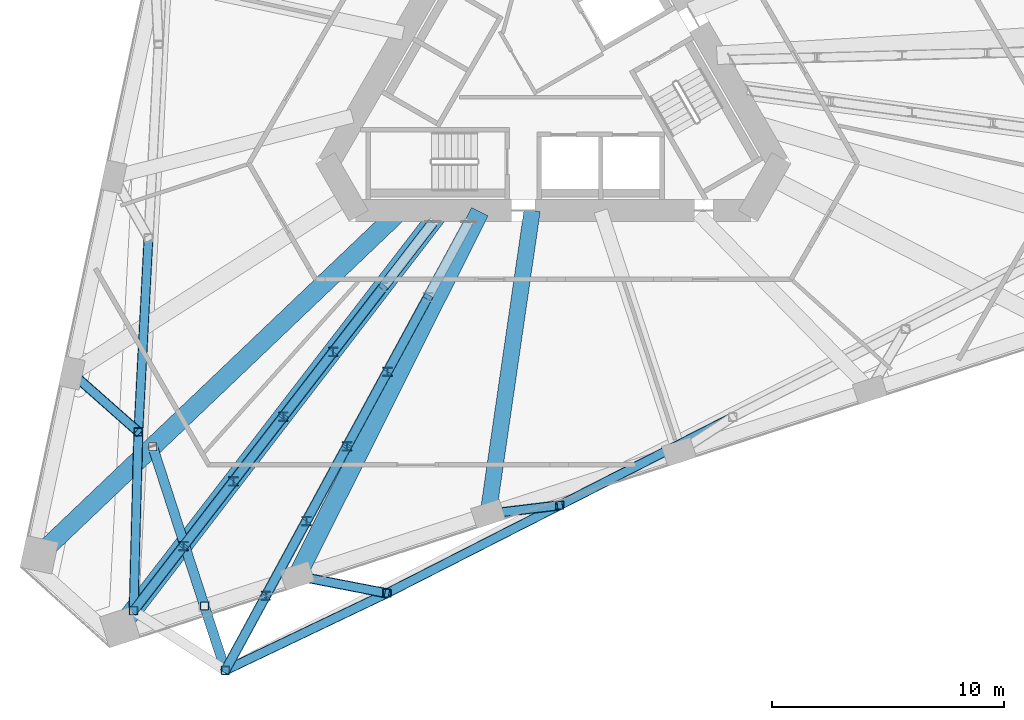
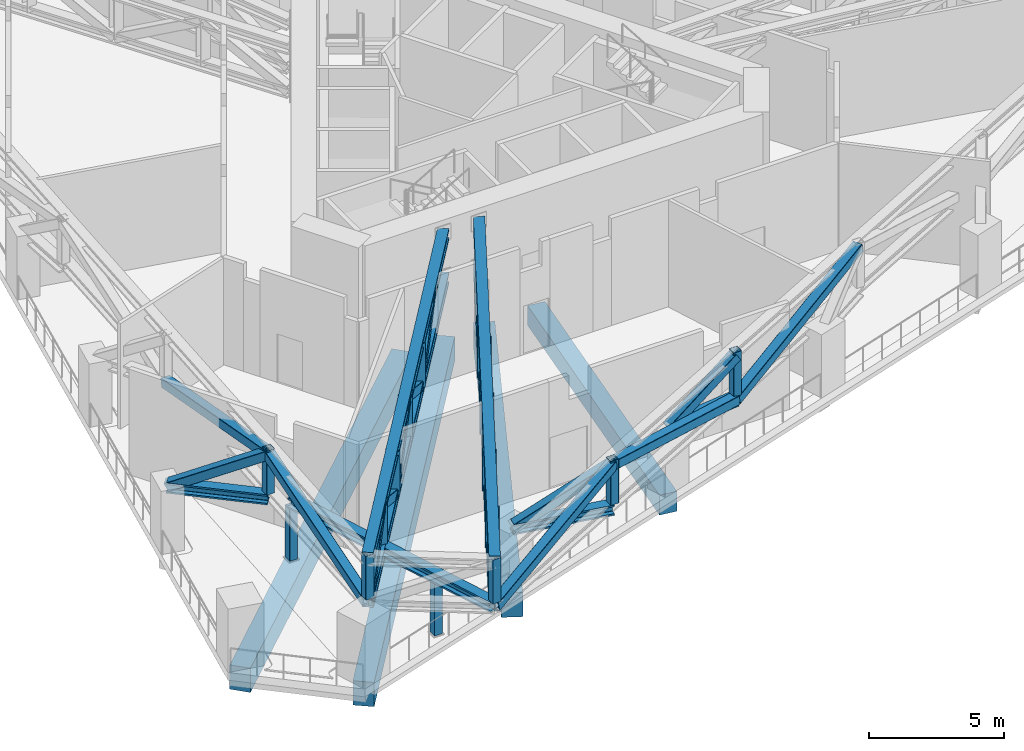
# One storey, part 2 of 24: 41 members, 4 beams.
"""IFC4 building model written with IfcOpenShell, lengths in metres."""

from ifc_helpers import new_model, si_unit, direction, frame, origin, origin_2d, place, context, subcontext, project, spatial, rectangle, hollow_rectangle, i_section, extrude, material, material_profile, profile_set, type_object, element, save


model = new_model("IFC4")

# Units and contexts
model_context = context("Model", 3, precision=1e-05, world=origin(), true_north=direction((0.0, 1.0)))
body_context = subcontext(model_context, "Body", "Model", "MODEL_VIEW")
ifc_project = project(units=[si_unit("LENGTHUNIT", "METRE"), si_unit("AREAUNIT", "SQUARE_METRE"), si_unit("VOLUMEUNIT", "CUBIC_METRE"), si_unit("PLANEANGLEUNIT", "RADIAN"), si_unit("MASSUNIT", "GRAM", prefix="KILO")], contexts=[model_context])

# Site, building, storey
site_placement = place(None, origin())
site = spatial("IfcSite", under=ifc_project, at=site_placement, CompositionType="ELEMENT")
building_placement = place(site_placement, origin())
building = spatial("IfcBuilding", under=site, at=building_placement, Name="Tramontana Tower", CompositionType="ELEMENT")
storey_placement = place(building_placement, frame((0.0, 0.0, 120.39990234375)))
storey = spatial("IfcBuildingStorey", under=building, at=storey_placement, Name="L27", CompositionType="ELEMENT", Elevation=120.39990234375)

# Members
ifc_material_1 = material(Name="Steel ASTM A500 Grade C", Category="steel")
ifc_material_profile_1 = material_profile(ifc_material_1, hollow_rectangle(XDim=0.355712890625, YDim=0.355712890625, WallThickness=0.01171875, InnerFilletRadius=0.01171875, OuterFilletRadius=0.023681640625, at=origin_2d()), Name="HSS14X14X1/2")
ifc_profile_set_1 = profile_set([ifc_material_profile_1], Name="Steel ASTM A500 Grade C")
member_type_1 = type_object("IfcMemberType", Name="Belt truss HSS14X14X1/2 post", PredefinedType="POST", material=ifc_profile_set_1)
for number, where, z_axis, x_axis, name in (
    (1, (-17.90283203125, -15.827880859375, 2.86376953125), (0.0, 0.0, 1.0), (1.0, 0.0, 0.0), "Belt truss post C3F05"),
    (2, (-18.107421875, -23.54931640625, 2.86376953125), (0.0, 0.0, 1.0), (1.0, 0.0, 0.0), "Belt truss post C3K2"),
    (3, (-14.1484375, -26.1201171875, 2.86376953125), (0.0, 0.0, 1.0), (1.0, 0.0, 0.0), "Belt truss post C3K3"),
    (4, (-7.177734375, -22.79296875, 2.86376953125), (0.0, 0.0, 1.0), (1.0, 0.0, 0.0), "Belt truss post C3F06"),
    (5, (0.281494140625, -18.9921875, 2.86376953125), (0.0, 0.0, 1.0), (1.0, 0.0, 0.0), "Belt truss post C3F07"),
):
    element("IfcMember", number, at=place(storey_placement, frame(where, z_axis=z_axis, x_axis=x_axis)), inside=storey, type_object=member_type_1, Name=name, PredefinedType="POST", context=body_context, shape_type="SweptSolid", body=[
        extrude(hollow_rectangle(XDim=0.355712890625, YDim=0.355712890625, WallThickness=0.01171875, InnerFilletRadius=0.01171875, OuterFilletRadius=0.023681640625, at=origin_2d()), origin(), (0.0, 0.0, 1.0), 1.986328125),
    ])
ifc_material_2 = material(Name="Steel ASTM A500 Grade C", Category="steel")
ifc_material_profile_2 = material_profile(ifc_material_2, hollow_rectangle(XDim=0.406494140625, YDim=0.406494140625, WallThickness=0.0146484375, InnerFilletRadius=0.0146484375, OuterFilletRadius=0.029541015625, at=origin_2d()), Name="HSS16X16X5/8")
ifc_profile_set_2 = profile_set([ifc_material_profile_2], Name="Steel ASTM A500 Grade C")
member_type_2 = type_object("IfcMemberType", Name="Belt truss HSS16X16X5/8 brace", PredefinedType="BRACE", material=ifc_profile_set_2)
member_1_placement = place(storey_placement, frame((-17.46484375, -7.4677734375, 2.6318359375), z_axis=(-0.050904889417, -0.971647786132, 0.230888007352), x_axis=(0.998630448482, -0.052318518371, 0.0)))
element("IfcMember", 6, at=member_1_placement, inside=storey, type_object=member_type_2, Name="Belt truss diagonal S0.5", PredefinedType="BRACE", context=body_context, shape_type="SweptSolid", body=[
    extrude(hollow_rectangle(XDim=0.406494140625, YDim=0.406494140625, WallThickness=0.0146484375, InnerFilletRadius=0.0146484375, OuterFilletRadius=0.029541015625, at=origin_2d()), origin(), (0.0, 0.0, 1.0), 8.60400390625),
])
member_2_placement = place(storey_placement, frame((-17.90283203125, -15.827880859375, 4.618408203125), z_axis=(-0.025652231523, -0.968142155576, -0.249083780312), x_axis=(0.999649156493, -0.026487051985, 0.0)))
element("IfcMember", 7, at=member_2_placement, inside=storey, type_object=member_type_2, Name="Belt truss diagonal S0.6", PredefinedType="BRACE", context=body_context, shape_type="SweptSolid", body=[
    extrude(hollow_rectangle(XDim=0.406494140625, YDim=0.406494140625, WallThickness=0.0146484375, InnerFilletRadius=0.0146484375, OuterFilletRadius=0.029541015625, at=origin_2d()), origin(), (0.0, 0.0, 1.0), 7.9755859375),
])
member_3_placement = place(storey_placement, frame((-14.1484375, -26.1201171875, 2.6318359375), z_axis=(0.874024948923, 0.417176099885, 0.249087314702), x_axis=(-0.430752989508, 0.902469867658, 0.0)))
element("IfcMember", 8, at=member_3_placement, inside=storey, type_object=member_type_2, Name="Belt truss diagonal S1.1", PredefinedType="BRACE", context=body_context, shape_type="SweptSolid", body=[
    extrude(hollow_rectangle(XDim=0.406494140625, YDim=0.406494140625, WallThickness=0.0146484375, InnerFilletRadius=0.0146484375, OuterFilletRadius=0.029541015625, at=origin_2d()), origin(), (0.0, 0.0, 1.0), 7.975341796875),
])
member_4_placement = place(storey_placement, frame((-7.177734375, -22.79296875, 4.618408203125), z_axis=(0.86692736462, 0.44173486114, -0.230883643698), x_axis=(-0.454001356581, 0.891000992268, 0.0)))
element("IfcMember", 9, at=member_4_placement, inside=storey, type_object=member_type_2, Name="Belt truss diagonal S1.2", PredefinedType="BRACE", context=body_context, shape_type="SweptSolid", body=[
    extrude(hollow_rectangle(XDim=0.406494140625, YDim=0.406494140625, WallThickness=0.0146484375, InnerFilletRadius=0.0146484375, OuterFilletRadius=0.029541015625, at=origin_2d()), origin(), (0.0, 0.0, 1.0), 8.604248046875),
])
member_5_placement = place(storey_placement, frame((0.281494140625, -18.9921875, 2.6318359375), z_axis=(0.866931181465, 0.441722888906, 0.230892217321), x_axis=(-0.453990001192, 0.891006778211, 0.0)))
element("IfcMember", 10, at=member_5_placement, inside=storey, type_object=member_type_2, Name="Belt truss diagonal S1.3", PredefinedType="BRACE", context=body_context, shape_type="SweptSolid", body=[
    extrude(hollow_rectangle(XDim=0.406494140625, YDim=0.406494140625, WallThickness=0.0146484375, InnerFilletRadius=0.0146484375, OuterFilletRadius=0.029541015625, at=origin_2d()), origin(), (0.0, 0.0, 1.0), 8.60400390625),
])
ifc_material_3 = material(Name="Steel ASTM A500 Grade C", Category="steel")
ifc_material_profile_3 = material_profile(ifc_material_3, hollow_rectangle(XDim=0.406494140625, YDim=0.406494140625, WallThickness=0.0146484375, InnerFilletRadius=0.0146484375, OuterFilletRadius=0.029541015625, at=origin_2d()), Name="HSS16X16X5/8")
ifc_profile_set_3 = profile_set([ifc_material_profile_3], Name="Steel ASTM A500 Grade C")
member_type_3 = type_object("IfcMemberType", Name="Outrigger truss HSS16X16X5/8 brace", PredefinedType="BRACE", material=ifc_profile_set_3)
for number, where, z_axis, x_axis, name in (
    (11, (-7.343017578125, -9.583251953125, 4.618408203125), (-0.531876580369, -0.690088450443, -0.490800604952), (0.792047156746, -0.610459909814, 0.0), "Outrigger truss diagonal 1.2"),
    (12, (-9.495849609375, -12.37646484375, 2.6318359375), (-0.531876580369, -0.690088450443, 0.490800604952), (0.792047156746, -0.610459909814, 0.0), "Outrigger truss diagonal 1.3"),
    (13, (-11.648681640625, -15.169677734375, 4.618408203125), (-0.531876580369, -0.690088450443, -0.490800604952), (0.792047156746, -0.610459909814, 0.0), "Outrigger truss diagonal 1.4"),
    (14, (-13.801513671875, -17.962890625, 2.6318359375), (-0.531876580369, -0.690088450443, 0.490800604952), (0.792047156746, -0.610459909814, 0.0), "Outrigger truss diagonal 1.5"),
):
    element("IfcMember", number, at=place(storey_placement, frame(where, z_axis=z_axis, x_axis=x_axis)), inside=storey, type_object=member_type_3, Name=name, PredefinedType="BRACE", context=body_context, shape_type="SweptSolid", body=[
        extrude(hollow_rectangle(XDim=0.406494140625, YDim=0.406494140625, WallThickness=0.0146484375, InnerFilletRadius=0.0146484375, OuterFilletRadius=0.029541015625, at=origin_2d()), origin(), (0.0, 0.0, 1.0), 4.047607421875),
    ])
member_6_placement = place(storey_placement, frame((-15.954345703125, -20.756103515625, 4.618408203125), z_axis=(-0.531919832152, -0.690066311334, -0.490784859307), x_axis=(0.792013683923, -0.610503336992, 0.0)))
element("IfcMember", 15, at=member_6_placement, inside=storey, type_object=member_type_3, Name="Outrigger truss diagonal 1.6", PredefinedType="BRACE", context=body_context, shape_type="SweptSolid", body=[
    extrude(hollow_rectangle(XDim=0.406494140625, YDim=0.406494140625, WallThickness=0.0146484375, InnerFilletRadius=0.0146484375, OuterFilletRadius=0.029541015625, at=origin_2d()), origin(), (0.0, 0.0, 1.0), 4.0478515625),
])
member_7_placement = place(storey_placement, frame((-5.405029296875, -10.01171875, 4.618408203125), z_axis=(-0.419431617993, -0.77269574634, -0.476464480749), x_axis=(0.878868590749, -0.477063937219, 0.0)))
element("IfcMember", 16, at=member_7_placement, inside=storey, type_object=member_type_3, Name="Outrigger truss diagonal 2.2", PredefinedType="BRACE", context=body_context, shape_type="SweptSolid", body=[
    extrude(hollow_rectangle(XDim=0.406494140625, YDim=0.406494140625, WallThickness=0.0146484375, InnerFilletRadius=0.0146484375, OuterFilletRadius=0.029541015625, at=origin_2d()), origin(), (0.0, 0.0, 1.0), 4.16943359375),
])
member_8_placement = place(storey_placement, frame((-7.15380859375, -13.2333984375, 2.6318359375), z_axis=(-0.419383362132, -0.772714723079, 0.476476182305), x_axis=(0.878896514423, -0.477012491383, 0.0)))
element("IfcMember", 17, at=member_8_placement, inside=storey, type_object=member_type_3, Name="Outrigger truss diagonal 2.3", PredefinedType="BRACE", context=body_context, shape_type="SweptSolid", body=[
    extrude(hollow_rectangle(XDim=0.406494140625, YDim=0.406494140625, WallThickness=0.0146484375, InnerFilletRadius=0.0146484375, OuterFilletRadius=0.029541015625, at=origin_2d()), origin(), (0.0, 0.0, 1.0), 4.169189453125),
])
for number, where, z_axis, x_axis, name in (
    (18, (-8.90234375, -16.455078125, 4.618408203125), (-0.419431617993, -0.77269574634, -0.476464480749), (0.878868590749, -0.477063937219, 0.0), "Outrigger truss diagonal 2.4"),
    (19, (-10.651123046875, -19.6767578125, 2.6318359375), (-0.419431617993, -0.77269574634, 0.476464480749), (0.878868590749, -0.477063937219, 0.0), "Outrigger truss diagonal 2.5"),
):
    element("IfcMember", number, at=place(storey_placement, frame(where, z_axis=z_axis, x_axis=x_axis)), inside=storey, type_object=member_type_3, Name=name, PredefinedType="BRACE", context=body_context, shape_type="SweptSolid", body=[
        extrude(hollow_rectangle(XDim=0.406494140625, YDim=0.406494140625, WallThickness=0.0146484375, InnerFilletRadius=0.0146484375, OuterFilletRadius=0.029541015625, at=origin_2d()), origin(), (0.0, 0.0, 1.0), 4.16943359375),
    ])
member_9_placement = place(storey_placement, frame((-12.39990234375, -22.8984375, 4.618408203125), z_axis=(-0.419383362132, -0.772714723079, -0.476476182305), x_axis=(0.878896514423, -0.477012491383, 0.0)))
element("IfcMember", 20, at=member_9_placement, inside=storey, type_object=member_type_3, Name="Outrigger truss diagonal 2.6", PredefinedType="BRACE", context=body_context, shape_type="SweptSolid", body=[
    extrude(hollow_rectangle(XDim=0.406494140625, YDim=0.406494140625, WallThickness=0.0146484375, InnerFilletRadius=0.0146484375, OuterFilletRadius=0.029541015625, at=origin_2d()), origin(), (0.0, 0.0, 1.0), 4.169189453125),
])
ifc_material_4 = material(Name="Steel ASTM A992 Grade 50", Category="steel")
ifc_material_profile_4 = material_profile(ifc_material_4, i_section(OverallWidth=0.39697265625, OverallDepth=0.387451171875, WebThickness=0.020751953125, FlangeThickness=0.033447265625, FilletRadius=0.01513671875, at=origin_2d()), Name="W14X176")
ifc_profile_set_4 = profile_set([ifc_material_profile_4], Name="Steel ASTM A992 Grade 50")
member_type_4 = type_object("IfcMemberType", Name="Outrigger truss W14X176 post", PredefinedType="POST", material=ifc_profile_set_4)
for number, where, z_axis, x_axis, name in (
    (21, (-9.495849609375, -12.37646484375, 2.6318359375), (0.0, 0.0, 1.0), (1.0, 0.0, 0.0), "Outrigger truss post 1.2"),
    (22, (-11.648681640625, -15.169677734375, 2.6318359375), (0.0, 0.0, 1.0), (1.0, 0.0, 0.0), "Outrigger truss post 1.3"),
    (23, (-13.801513671875, -17.962890625, 2.6318359375), (0.0, 0.0, 1.0), (1.0, 0.0, 0.0), "Outrigger truss post 1.4"),
    (24, (-15.954345703125, -20.756103515625, 2.6318359375), (0.0, 0.0, 1.0), (1.0, 0.0, 0.0), "Outrigger truss post 1.5"),
    (25, (-7.15380859375, -13.2333984375, 2.6318359375), (0.0, 0.0, 1.0), (1.0, 0.0, 0.0), "Outrigger truss post 2.2"),
    (26, (-8.90234375, -16.455078125, 2.6318359375), (0.0, 0.0, 1.0), (1.0, 0.0, 0.0), "Outrigger truss post 2.3"),
    (27, (-10.651123046875, -19.6767578125, 2.6318359375), (0.0, 0.0, 1.0), (1.0, 0.0, 0.0), "Outrigger truss post 2.4"),
    (28, (-12.39990234375, -22.8984375, 2.6318359375), (0.0, 0.0, 1.0), (1.0, 0.0, 0.0), "Outrigger truss post 2.5"),
):
    element("IfcMember", number, at=place(storey_placement, frame(where, z_axis=z_axis, x_axis=x_axis)), inside=storey, type_object=member_type_4, Name=name, PredefinedType="POST", context=body_context, shape_type="SweptSolid", body=[
        extrude(i_section(OverallWidth=0.39697265625, OverallDepth=0.387451171875, WebThickness=0.020751953125, FlangeThickness=0.033447265625, FilletRadius=0.01513671875, at=origin_2d()), origin(), (0.0, 0.0, 1.0), 1.986572265625),
    ])
ifc_material_5 = material(Name="Steel ASTM A992 Grade 50", Category="steel")
ifc_material_profile_5 = material_profile(ifc_material_5, i_section(OverallWidth=0.431884765625, OverallDepth=0.49853515625, WebThickness=0.0556640625, FlangeThickness=0.0888671875, FilletRadius=0.01513671875, at=origin_2d()), Name="W14X500")
ifc_profile_set_5 = profile_set([ifc_material_profile_5], Name="Steel ASTM A992 Grade 50")
member_type_5 = type_object("IfcMemberType", Name="Outrigger truss W14X500 chord", PredefinedType="CHORD", material=ifc_profile_set_5)
for number, where, z_axis, x_axis, name in (
    (29, (-5.190185546875, -6.7900390625, 2.6318359375), (-0.61046714806, -0.792041577911, 0.0), (0.792041577911, -0.61046714806, 0.0), "Outrigger truss bottom chord 1"),
    (30, (-5.190185546875, -6.7900390625, 4.618408203125), (-0.61046714806, -0.792041577911, 0.0), (0.792041577911, -0.61046714806, 0.0), "Outrigger truss top chord 1"),
):
    element("IfcMember", number, at=place(storey_placement, frame(where, z_axis=z_axis, x_axis=x_axis)), inside=storey, type_object=member_type_5, Name=name, PredefinedType="CHORD", context=body_context, shape_type="SweptSolid", body=[
        extrude(i_section(OverallWidth=0.431884765625, OverallDepth=0.49853515625, WebThickness=0.0556640625, FlangeThickness=0.0888671875, FilletRadius=0.01513671875, at=origin_2d()), origin(), (0.0, 0.0, 1.0), 21.15966796875),
    ])
for number, where, z_axis, x_axis, name in (
    (31, (-3.65625, -6.7900390625, 2.6318359375), (-0.477046789152, -0.878877898778, 0.0), (0.878877898778, -0.477046789152, 0.0), "Outrigger truss bottom chord 2"),
    (32, (-3.65625, -6.7900390625, 4.618408203125), (-0.477046789152, -0.878877898778, 0.0), (0.878877898778, -0.477046789152, 0.0), "Outrigger truss top chord 2"),
):
    element("IfcMember", number, at=place(storey_placement, frame(where, z_axis=z_axis, x_axis=x_axis)), inside=storey, type_object=member_type_5, Name=name, PredefinedType="CHORD", context=body_context, shape_type="SweptSolid", body=[
        extrude(i_section(OverallWidth=0.431884765625, OverallDepth=0.49853515625, WebThickness=0.0556640625, FlangeThickness=0.0888671875, FilletRadius=0.01513671875, at=origin_2d()), origin(), (0.0, 0.0, 1.0), 21.994140625),
    ])

# Beams
ifc_material_6 = material(Name="Concrete 40 MPa", Category="concrete")
ifc_material_profile_6 = material_profile(ifc_material_6, rectangle(XDim=0.699951171875, YDim=0.89990234375, at=origin_2d()), Name="RC GIRDER 700X900 40 MPa")
ifc_profile_set_6 = profile_set([ifc_material_profile_6], Name="Concrete 40 MPa")
beam_type_1 = type_object("IfcBeamType", Name="RC GIRDER 700X900 40 MPa", PredefinedType="BEAM", material=ifc_profile_set_6)
beam_1_placement = place(storey_placement, frame((-2.81298828125, -19.3671875, -0.7998046875), z_axis=(0.143736706845, 0.989615965466, 0.0), x_axis=(-0.989615965466, 0.143736706845, 0.0)))
element("IfcBeam", 33, at=beam_1_placement, inside=storey, type_object=beam_type_1, Name="Radial girder C2F07 L27", PredefinedType="BEAM", context=body_context, shape_type="SweptSolid", body=[
    extrude(rectangle(XDim=0.699951171875, YDim=0.89990234375, at=origin_2d()), origin(), (0.0, 0.0, 1.0), 13.224609375),
])
ifc_material_7 = material(Name="Concrete 40 MPa", Category="concrete")
ifc_material_profile_7 = material_profile(ifc_material_7, rectangle(XDim=0.800048828125, YDim=1.10009765625, at=origin_2d()), Name="RC GIRDER 800X1100 40 MPa")
ifc_profile_set_7 = profile_set([ifc_material_profile_7], Name="Concrete 40 MPa")
beam_type_2 = type_object("IfcBeamType", Name="RC GIRDER 800X1100 40 MPa", PredefinedType="BEAM", material=ifc_profile_set_7)
beam_2_placement = place(storey_placement, frame((-22.177978515625, -21.13134765625, -0.89990234375), z_axis=(0.723983254275, 0.689817546551, 0.0), x_axis=(-0.689817546551, 0.723983254275, 0.0)))
element("IfcBeam", 34, at=beam_2_placement, inside=storey, type_object=beam_type_2, Name="Radial girder C2K2 L27", PredefinedType="BEAM", context=body_context, shape_type="SweptSolid", body=[
    extrude(rectangle(XDim=0.800048828125, YDim=1.10009765625, at=origin_2d()), origin(), (0.0, 0.0, 1.0), 21.322998046875),
])
beam_3_placement = place(storey_placement, frame((-18.697509765625, -24.265380859375, -0.89990234375), z_axis=(0.610367161523, 0.792118632614, 0.0), x_axis=(-0.792118632614, 0.610367161523, 0.0)))
element("IfcBeam", 35, at=beam_3_placement, inside=storey, type_object=beam_type_2, Name="Radial girder C2K3 L27", PredefinedType="BEAM", context=body_context, shape_type="SweptSolid", body=[
    extrude(rectangle(XDim=0.800048828125, YDim=1.10009765625, at=origin_2d()), origin(), (0.0, 0.0, 1.0), 22.5869140625),
])
beam_4_placement = place(storey_placement, frame((-11.049560546875, -22.04345703125, -0.89990234375), z_axis=(0.448118712833, 0.893974059584, 0.0), x_axis=(-0.893974059584, 0.448118712833, 0.0)))
element("IfcBeam", 36, at=beam_4_placement, inside=storey, type_object=beam_type_2, Name="Radial girder C2F06 L27", PredefinedType="BEAM", context=body_context, shape_type="SweptSolid", body=[
    extrude(rectangle(XDim=0.800048828125, YDim=1.10009765625, at=origin_2d()), origin(), (0.0, 0.0, 1.0), 17.582275390625),
])

# Members
ifc_material_8 = material(Name="Steel ASTM A500 Grade C", Category="steel")
ifc_material_profile_8 = material_profile(ifc_material_8, hollow_rectangle(XDim=0.355712890625, YDim=0.355712890625, WallThickness=0.01171875, InnerFilletRadius=0.01171875, OuterFilletRadius=0.023681640625, at=origin_2d()), Name="HSS14X14X1/2")
ifc_profile_set_8 = profile_set([ifc_material_profile_8], Name="Steel ASTM A500 Grade C")
member_type_6 = type_object("IfcMemberType", Name="Transfer truss HSS14X14X1/2 post", PredefinedType="POST", material=ifc_profile_set_8)
for number, where, z_axis, x_axis, name in (
    (37, (-15.05078125, -23.343505859375, 0.0400390625), (0.0, 0.0, 1.0), (1.0, 0.0, 0.0), "Transfer truss post C3K3.1"),
    (38, (-17.284423828125, -16.46875, 0.0400390625), (0.0, 0.0, 1.0), (1.0, 0.0, 0.0), "Transfer truss post C3K3.2"),
):
    element("IfcMember", number, at=place(storey_placement, frame(where, z_axis=z_axis, x_axis=x_axis)), inside=storey, type_object=member_type_6, Name=name, PredefinedType="POST", context=body_context, shape_type="SweptSolid", body=[
        extrude(hollow_rectangle(XDim=0.355712890625, YDim=0.355712890625, WallThickness=0.01171875, InnerFilletRadius=0.01171875, OuterFilletRadius=0.023681640625, at=origin_2d()), origin(), (0.0, 0.0, 1.0), 2.360107421875),
    ])
ifc_material_9 = material(Name="Steel ASTM A500 Grade C", Category="steel")
ifc_material_profile_9 = material_profile(ifc_material_9, hollow_rectangle(XDim=0.406494140625, YDim=0.406494140625, WallThickness=0.0146484375, InnerFilletRadius=0.0146484375, OuterFilletRadius=0.029541015625, at=origin_2d()), Name="HSS16X16X5/8")
ifc_profile_set_9 = profile_set([ifc_material_profile_9], Name="Steel ASTM A500 Grade C")
member_type_7 = type_object("IfcMemberType", Name="Transfer truss HSS16X16X5/8 brace", PredefinedType="BRACE", material=ifc_profile_set_9)
member_10_placement = place(storey_placement, frame((-20.767578125, -13.293212890625, 2.6318359375), z_axis=(0.664644191023, -0.588063404738, 0.460900782542), x_axis=(0.662642737454, 0.748935646434, 0.0)))
element("IfcMember", 39, at=member_10_placement, inside=storey, type_object=member_type_7, Name="Transfer truss strut C3F05 diagonal", PredefinedType="BRACE", context=body_context, shape_type="SweptSolid", body=[
    extrude(hollow_rectangle(XDim=0.406494140625, YDim=0.406494140625, WallThickness=0.0146484375, InnerFilletRadius=0.0146484375, OuterFilletRadius=0.029541015625, at=origin_2d()), origin(), (0.0, 0.0, 1.0), 4.310302734375),
])
member_11_placement = place(storey_placement, frame((-11.049560546875, -22.04345703125, 2.6318359375), z_axis=(0.876812268804, -0.169734136152, 0.44987839279), x_axis=(0.19005270445, 0.981773889208, 0.0)))
element("IfcMember", 40, at=member_11_placement, inside=storey, type_object=member_type_7, Name="Transfer truss strut C3F06 diagonal", PredefinedType="BRACE", context=body_context, shape_type="SweptSolid", body=[
    extrude(hollow_rectangle(XDim=0.406494140625, YDim=0.406494140625, WallThickness=0.0146484375, InnerFilletRadius=0.0146484375, OuterFilletRadius=0.029541015625, at=origin_2d()), origin(), (0.0, 0.0, 1.0), 4.415771484375),
])
member_12_placement = place(storey_placement, frame((-2.81298828125, -19.3671875, 2.6318359375), z_axis=(0.837175140427, 0.101451756662, 0.537443322892), x_axis=(-0.12030329897, 0.99273718388, 0.0)))
element("IfcMember", 41, at=member_12_placement, inside=storey, type_object=member_type_7, Name="Transfer truss strut C3F07 diagonal", PredefinedType="BRACE", context=body_context, shape_type="SweptSolid", body=[
    extrude(hollow_rectangle(XDim=0.406494140625, YDim=0.406494140625, WallThickness=0.0146484375, InnerFilletRadius=0.0146484375, OuterFilletRadius=0.029541015625, at=origin_2d()), origin(), (0.0, 0.0, 1.0), 3.6962890625),
])
ifc_material_10 = material(Name="Steel ASTM A992 Grade 50", Category="steel")
ifc_material_profile_10 = material_profile(ifc_material_10, i_section(OverallWidth=0.42236328125, OverallDepth=0.463623046875, WebThickness=0.04443359375, FlangeThickness=0.072998046875, FilletRadius=0.014892578125, at=origin_2d()), Name="W14X398")
ifc_profile_set_10 = profile_set([ifc_material_profile_10], Name="Steel ASTM A992 Grade 50")
member_type_8 = type_object("IfcMemberType", Name="Transfer truss W14X398 chord", PredefinedType="CHORD", material=ifc_profile_set_10)
member_13_placement = place(storey_placement, frame((-14.1484375, -26.1201171875, 2.6318359375), z_axis=(-0.309022969123, 0.951054574961, 0.0), x_axis=(-0.951054574961, -0.309022969123, 0.0)))
element("IfcMember", 42, at=member_13_placement, inside=storey, type_object=member_type_8, Name="Transfer truss girder C3K3", PredefinedType="CHORD", context=body_context, shape_type="SweptSolid", body=[
    extrude(i_section(OverallWidth=0.42236328125, OverallDepth=0.463623046875, WebThickness=0.04443359375, FlangeThickness=0.072998046875, FilletRadius=0.014892578125, at=origin_2d()), origin(), (0.0, 0.0, 1.0), 10.14794921875),
])
ifc_material_11 = material(Name="Steel ASTM A992 Grade 50", Category="steel")
ifc_material_profile_11 = material_profile(ifc_material_11, i_section(OverallWidth=0.42236328125, OverallDepth=0.463623046875, WebThickness=0.04443359375, FlangeThickness=0.072998046875, FilletRadius=0.014892578125, at=origin_2d()), Name="W14X398")
ifc_profile_set_11 = profile_set([ifc_material_profile_11], Name="Steel ASTM A992 Grade 50")
member_type_9 = type_object("IfcMemberType", Name="Transfer truss W14X398 strut", PredefinedType="STRUT", material=ifc_profile_set_11)
member_14_placement = place(storey_placement, frame((-20.767578125, -13.293212890625, 2.6318359375), z_axis=(0.748935646434, -0.662642737454, 0.0), x_axis=(0.662642737454, 0.748935646434, 0.0)))
element("IfcMember", 43, at=member_14_placement, inside=storey, type_object=member_type_9, Name="Transfer truss strut C3F05 bottom", PredefinedType="STRUT", context=body_context, shape_type="SweptSolid", body=[
    extrude(i_section(OverallWidth=0.42236328125, OverallDepth=0.463623046875, WebThickness=0.04443359375, FlangeThickness=0.072998046875, FilletRadius=0.014892578125, at=origin_2d()), origin(), (0.0, 0.0, 1.0), 3.8251953125),
])
member_15_placement = place(storey_placement, frame((-11.049560546875, -22.04345703125, 2.6318359375), z_axis=(0.981773889208, -0.19005270445, 0.0), x_axis=(0.19005270445, 0.981773889208, 0.0)))
element("IfcMember", 44, at=member_15_placement, inside=storey, type_object=member_type_9, Name="Transfer truss strut C3F06 bottom", PredefinedType="STRUT", context=body_context, shape_type="SweptSolid", body=[
    extrude(i_section(OverallWidth=0.42236328125, OverallDepth=0.463623046875, WebThickness=0.04443359375, FlangeThickness=0.072998046875, FilletRadius=0.014892578125, at=origin_2d()), origin(), (0.0, 0.0, 1.0), 3.943603515625),
])
member_16_placement = place(storey_placement, frame((-2.81298828125, -19.3671875, 2.6318359375), z_axis=(0.99273718388, 0.12030329897, 0.0), x_axis=(-0.12030329897, 0.99273718388, 0.0)))
element("IfcMember", 45, at=member_16_placement, inside=storey, type_object=member_type_9, Name="Transfer truss strut C3F07 bottom", PredefinedType="STRUT", context=body_context, shape_type="SweptSolid", body=[
    extrude(i_section(OverallWidth=0.42236328125, OverallDepth=0.463623046875, WebThickness=0.04443359375, FlangeThickness=0.072998046875, FilletRadius=0.014892578125, at=origin_2d()), origin(), (0.0, 0.0, 1.0), 3.1171875),
])

save(model, "model.ifc")
